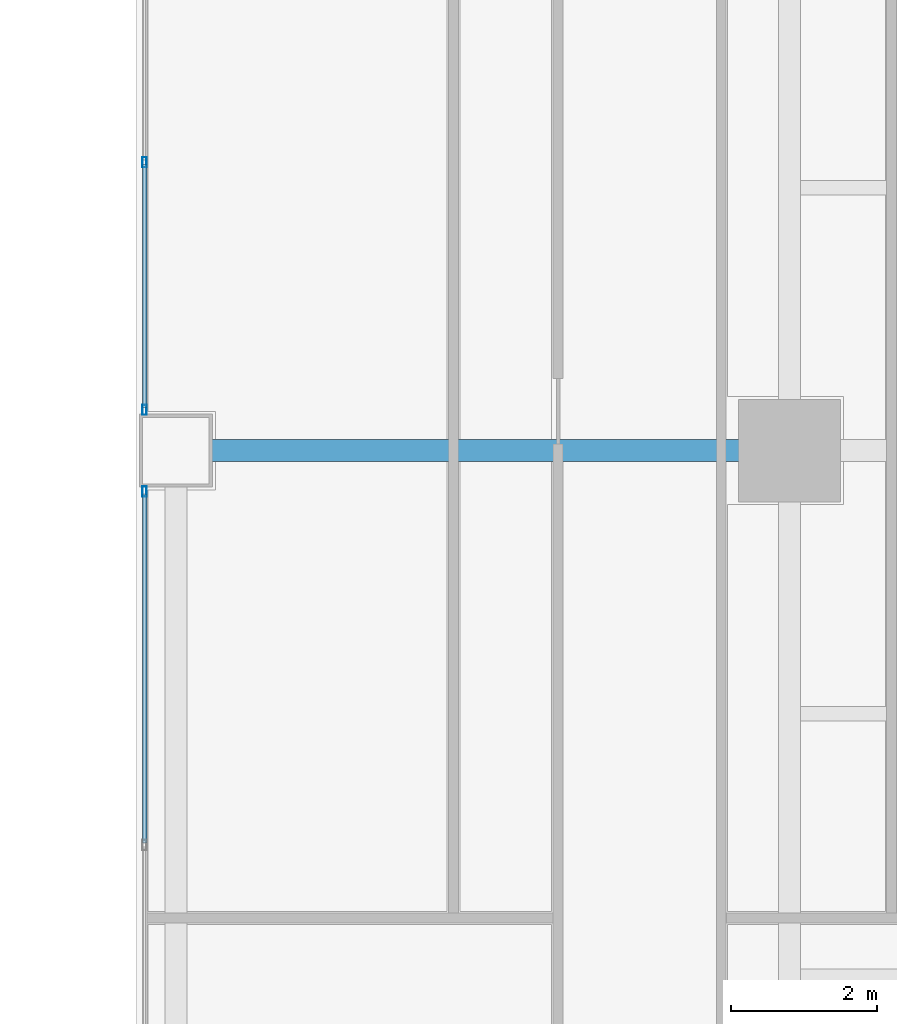
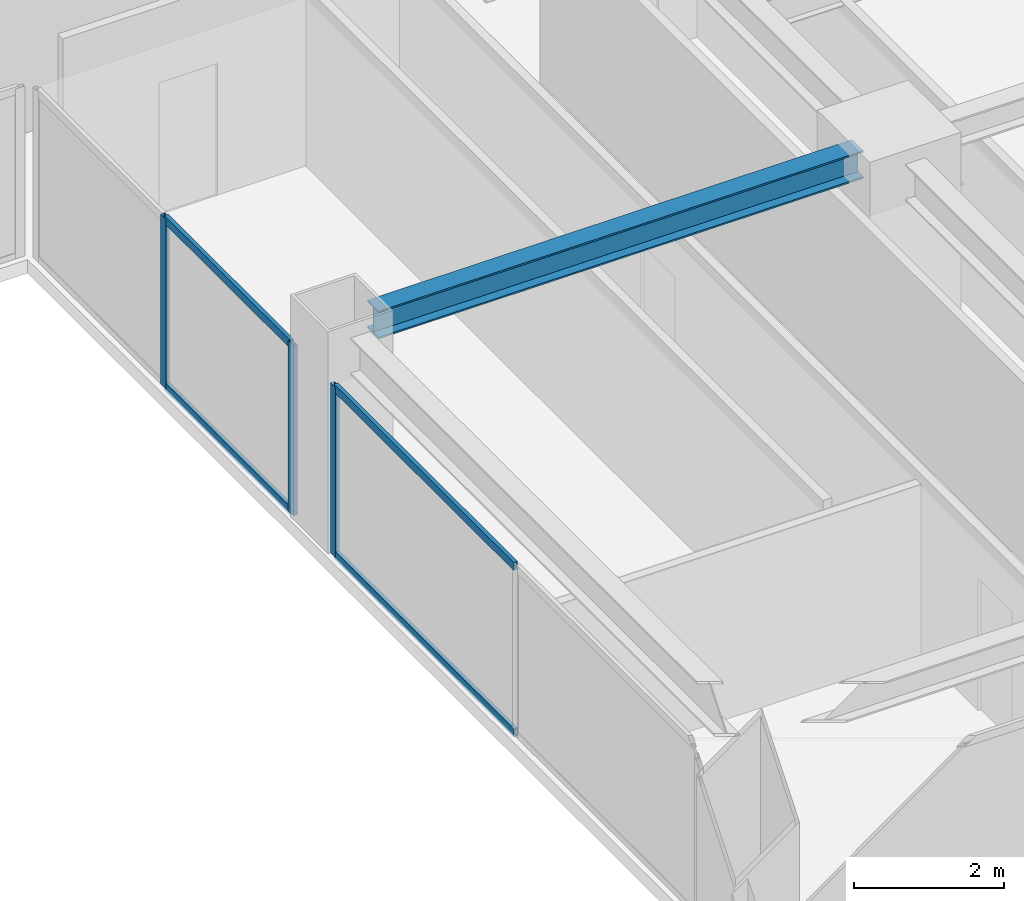
# One storey, part 14 of 29: 7 members, 1 beam, 2 elements without a shape of their own.
"""IFC4 building model written with IfcOpenShell, lengths in metres."""

from ifc_helpers import new_model, si_unit, direction, frame, origin, origin_2d, place, context, subcontext, project, spatial, hollow_rectangle, i_section, extrude, source, transform, mapped, material, layer, layer_set, material_profile, profile_set, type_object, element, aggregate, save


model = new_model("IFC4")

# Units and contexts
model_context = context("Model", 3, precision=1e-05, world=origin(), true_north=direction((0.0, 1.0)))
body_context = subcontext(model_context, "Body", "Model", "MODEL_VIEW")
ifc_project = project(units=[si_unit("LENGTHUNIT", "METRE"), si_unit("AREAUNIT", "SQUARE_METRE"), si_unit("VOLUMEUNIT", "CUBIC_METRE"), si_unit("PLANEANGLEUNIT", "RADIAN"), si_unit("MASSUNIT", "GRAM", prefix="KILO")], contexts=[model_context])

# Site, building, storey
site_placement = place(None, origin())
site = spatial("IfcSite", under=ifc_project, at=site_placement, CompositionType="ELEMENT")
building_placement = place(site_placement, origin())
building = spatial("IfcBuilding", under=site, at=building_placement, Name="Sumidabori Civic Tower", CompositionType="ELEMENT")
storey_placement = place(building_placement, frame((0.0, 0.0, 203.60009765625)))
storey = spatial("IfcBuildingStorey", under=building, at=storey_placement, Name="L52", CompositionType="ELEMENT", Elevation=203.60009765625)

# Beam
ifc_material_1 = material(Name="Steel SN490", Category="steel")
ifc_material_profile_1 = material_profile(ifc_material_1, i_section(OverallWidth=0.300048828125, OverallDepth=0.449951171875, WebThickness=0.013916015625, FlangeThickness=0.02587890625, at=origin_2d()), Name="HE 450 B")
ifc_profile_set_1 = profile_set([ifc_material_profile_1], Name="Steel SN490")
beam_type = type_object("IfcBeamType", Name="BM-GIRD-450", PredefinedType="BEAM", material=ifc_profile_set_1)
shared_shape_1 = source(origin(), body_context, "Body", "SweptSolid", [
    extrude(i_section(OverallWidth=0.300048828125, OverallDepth=0.449951171875, WebThickness=0.013916015625, FlangeThickness=0.02587890625, at=origin_2d()), origin(), (0.0, 0.0, 1.0), 7.440185546875),
])
beam_placement = place(storey_placement, frame((8.8798828125, 0.0, 3.15478515625), z_axis=(1.0, 0.0, 0.0), x_axis=(0.0, 1.0, 0.0)))
element("IfcBeam", 1, at=beam_placement, inside=storey, type_object=beam_type, Name="Primary Girder L52 GX-07", PredefinedType="BEAM", context=body_context, shape_type="MappedRepresentation", body=[
    mapped(shared_shape_1, transform((0.0, 0.0, 0.0), x_axis=(1.0, 0.0, 0.0), y_axis=(0.0, 1.0, 0.0), z_axis=(0.0, 0.0, 1.0), scale=1.0)),
])

# Curtain wall, members
ifc_material_2 = material(Name="Anodised Bronze Aluminium AW-6063-T6", Category="aluminium")
ifc_layer = layer(ifc_material_2, 0.179931640625, Name="Anodised Bronze Aluminium AW-6063-T6")
ifc_layer_set = layer_set([ifc_layer], Name="Anodised Bronze Aluminium AW-6063-T6")
curtain_wall_type = type_object("IfcCurtainWallType", Name="CW-SYS-4", PredefinedType="NOTDEFINED", material=ifc_layer_set)
curtain_wall_1_placement = place(storey_placement, origin())
curtain_wall_1 = element("IfcCurtainWall", 2, at=curtain_wall_1_placement, inside=storey, type_object=curtain_wall_type, Name="Curtain Wall CW:L52:R06", PredefinedType="NOTDEFINED")
ifc_material_profile_2 = material_profile(ifc_material_2, hollow_rectangle(XDim=0.06005859375, YDim=0.139892578125, WallThickness=0.0048828125, at=origin_2d()), Name="ALU MULLION 140x60")
ifc_profile_set_2 = profile_set([ifc_material_profile_2], Name="Anodised Bronze Aluminium AW-6063-T6")
member_type_1 = type_object("IfcMemberType", Name="CW-MUL-140", PredefinedType="MULLION", material=ifc_profile_set_2)
shared_shape_2 = source(origin(), body_context, "Body", "SweptSolid", [
    extrude(hollow_rectangle(XDim=0.06005859375, YDim=0.139892578125, WallThickness=0.0048828125, at=origin_2d()), origin(), (0.0, 0.0, 1.0), 2.760009765625),
])
member_1_placement = place(storey_placement, frame((7.969970703125, 3.949951171875, 0.0), z_axis=(0.0, 0.0, 1.0), x_axis=(1.0, 0.0, 0.0)))
member_1 = element("IfcMember", 3, at=member_1_placement, type_object=member_type_1, Name="CW-4 mullion 2", PredefinedType="MULLION", context=body_context, shape_type="MappedRepresentation", body=[
    mapped(shared_shape_2, transform((0.0, 0.0, 0.0), x_axis=(1.0, 0.0, 0.0), y_axis=(0.0, 1.0, 0.0), z_axis=(0.0, 0.0, 1.0), scale=1.0)),
])
member_2_placement = place(storey_placement, frame((7.969970703125, 0.56005859375, 0.0), z_axis=(0.0, 0.0, 1.0), x_axis=(1.0, 0.0, 0.0)))
member_2 = element("IfcMember", 4, at=member_2_placement, type_object=member_type_1, Name="CW-4 mullion 3", PredefinedType="MULLION", context=body_context, shape_type="MappedRepresentation", body=[
    mapped(shared_shape_2, transform((0.0, 0.0, 0.0), x_axis=(1.0, 0.0, 0.0), y_axis=(0.0, 1.0, 0.0), z_axis=(0.0, 0.0, 1.0), scale=1.0)),
])

curtain_wall_2_placement = place(storey_placement, origin())
curtain_wall_2 = element("IfcCurtainWall", 5, at=curtain_wall_2_placement, inside=storey, type_object=curtain_wall_type, Name="Curtain Wall CW:L52:R07", PredefinedType="NOTDEFINED")
member_3_placement = place(storey_placement, frame((7.969970703125, -0.56005859375, 0.0), z_axis=(0.0, 0.0, 1.0), x_axis=(1.0, 0.0, 0.0)))
member_3 = element("IfcMember", 6, at=member_3_placement, type_object=member_type_1, Name="CW-4 mullion 1", PredefinedType="MULLION", context=body_context, shape_type="MappedRepresentation", body=[
    mapped(shared_shape_2, transform((0.0, 0.0, 0.0), x_axis=(1.0, 0.0, 0.0), y_axis=(0.0, 1.0, 0.0), z_axis=(0.0, 0.0, 1.0), scale=1.0)),
])
ifc_material_profile_3 = material_profile(ifc_material_2, hollow_rectangle(XDim=0.06005859375, YDim=0.1298828125, WallThickness=0.0048828125, at=origin_2d()), Name="ALU TRANSOM 130x60")
ifc_profile_set_3 = profile_set([ifc_material_profile_3], Name="Anodised Bronze Aluminium AW-6063-T6")
member_type_2 = type_object("IfcMemberType", Name="CW-TRN-130", PredefinedType="USERDEFINED", material=ifc_profile_set_3)
shared_shape_3 = source(origin(), body_context, "Body", "SweptSolid", [
    extrude(hollow_rectangle(XDim=0.06005859375, YDim=0.1298828125, WallThickness=0.0048828125, at=origin_2d()), origin(), (0.0, 0.0, 1.0), 4.780029296875),
])
member_4_placement = place(storey_placement, frame((7.969970703125, -0.590087890625, 0.02978515625), z_axis=(0.0, -1.0, 0.0), x_axis=(1.0, 0.0, 0.0)))
member_4 = element("IfcMember", 7, at=member_4_placement, type_object=member_type_2, Name="CW-4 transom 1.1", ObjectType="TRANSOM", PredefinedType="USERDEFINED", context=body_context, shape_type="MappedRepresentation", body=[
    mapped(shared_shape_3, transform((0.0, 0.0, 0.0), x_axis=(1.0, 0.0, 0.0), y_axis=(0.0, 1.0, 0.0), z_axis=(0.0, 0.0, 1.0), scale=1.0)),
])
member_5_placement = place(storey_placement, frame((7.969970703125, -0.590087890625, 2.72998046875), z_axis=(0.0, -1.0, 0.0), x_axis=(1.0, 0.0, 0.0)))
member_5 = element("IfcMember", 8, at=member_5_placement, type_object=member_type_2, Name="CW-4 transom 1.2", ObjectType="TRANSOM", PredefinedType="USERDEFINED", context=body_context, shape_type="MappedRepresentation", body=[
    mapped(shared_shape_3, transform((0.0, 0.0, 0.0), x_axis=(1.0, 0.0, 0.0), y_axis=(0.0, 1.0, 0.0), z_axis=(0.0, 0.0, 1.0), scale=1.0)),
])
aggregate(curtain_wall_2, [member_3, member_4, member_5])

# Member
shared_shape_4 = source(origin(), body_context, "Body", "SweptSolid", [
    extrude(hollow_rectangle(XDim=0.06005859375, YDim=0.1298828125, WallThickness=0.0048828125, at=origin_2d()), origin(), (0.0, 0.0, 1.0), 3.329833984375),
])
member_6_placement = place(storey_placement, frame((7.969970703125, 3.919921875, 0.02978515625), z_axis=(0.0, -1.0, 0.0), x_axis=(1.0, 0.0, 0.0)))
member_6 = element("IfcMember", 9, at=member_6_placement, type_object=member_type_2, Name="CW-4 transom 2.1", ObjectType="TRANSOM", PredefinedType="USERDEFINED", context=body_context, shape_type="MappedRepresentation", body=[
    mapped(shared_shape_4, transform((0.0, 0.0, 0.0), x_axis=(1.0, 0.0, 0.0), y_axis=(0.0, 1.0, 0.0), z_axis=(0.0, 0.0, 1.0), scale=1.0)),
])

member_7_placement = place(storey_placement, frame((7.969970703125, 3.919921875, 2.72998046875), z_axis=(0.0, -1.0, 0.0), x_axis=(1.0, 0.0, 0.0)))
member_7 = element("IfcMember", 10, at=member_7_placement, type_object=member_type_2, Name="CW-4 transom 2.2", ObjectType="TRANSOM", PredefinedType="USERDEFINED", context=body_context, shape_type="MappedRepresentation", body=[
    mapped(shared_shape_4, transform((0.0, 0.0, 0.0), x_axis=(1.0, 0.0, 0.0), y_axis=(0.0, 1.0, 0.0), z_axis=(0.0, 0.0, 1.0), scale=1.0)),
])

aggregate(curtain_wall_1, [member_1, member_2, member_6, member_7])

save(model, "model.ifc")
